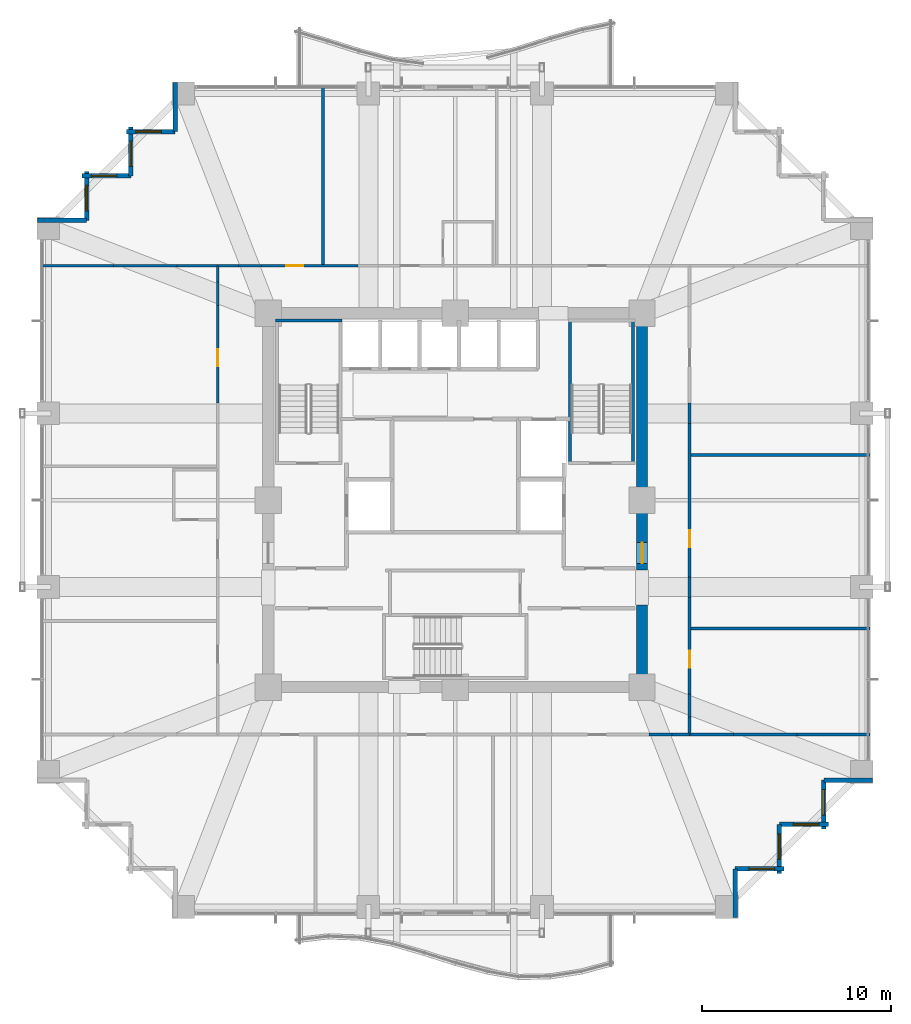
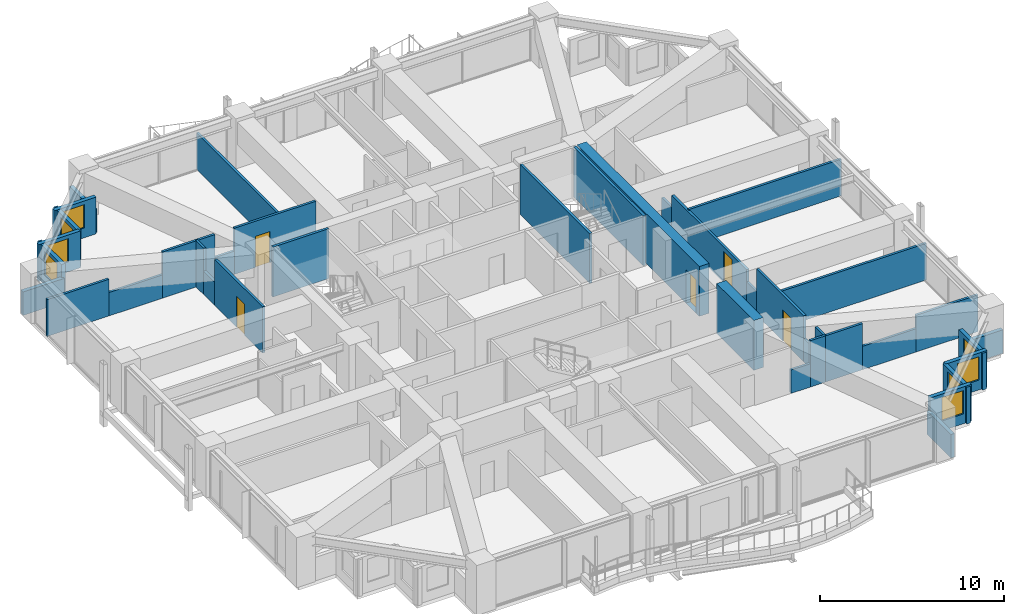
# One storey, part 33 of 37: 40 walls, 8 windows, 5 doors, 13 openings.
"""IFC4 building model written with IfcOpenShell, lengths in metres."""

from ifc_helpers import new_model, si_unit, direction, frame, frame_2d, origin, place, context, subcontext, project, spatial, rectangle, extrude, material, layer, layer_set, type_object, element, fill, save


model = new_model("IFC4")

# Units and contexts
model_context = context("Model", 3, precision=1e-05, world=origin(), true_north=direction((0.0, 1.0)))
body_context = subcontext(model_context, "Body", "Model", "MODEL_VIEW")
ifc_project = project(units=[si_unit("LENGTHUNIT", "METRE"), si_unit("AREAUNIT", "SQUARE_METRE"), si_unit("VOLUMEUNIT", "CUBIC_METRE"), si_unit("PLANEANGLEUNIT", "RADIAN"), si_unit("MASSUNIT", "GRAM", prefix="KILO")], contexts=[model_context])

# Site, building, storey
site_placement = place(None, origin())
site = spatial("IfcSite", under=ifc_project, at=site_placement, CompositionType="ELEMENT")
building_placement = place(site_placement, origin())
building = spatial("IfcBuilding", under=site, at=building_placement, Name="Kolvaren Belvedere", CompositionType="ELEMENT")
storey_placement = place(building_placement, frame((0.0, 0.0, 43.60009765625)))
storey = spatial("IfcBuildingStorey", under=building, at=storey_placement, Name="L12", CompositionType="ELEMENT", Elevation=43.60009765625)

# Wall
ifc_material_1 = material(Name="Concrete C60/75", Category="concrete")
ifc_layer_1 = layer(ifc_material_1, 0.60009765625)
ifc_layer_set_1 = layer_set([ifc_layer_1], Name="Concrete C60/75")
wall_type_1 = type_object("IfcWallType", Name="CW-CORE-600", PredefinedType="SHEAR", material=ifc_layer_set_1)
wall_1_placement = place(storey_placement, frame((9.89990234375, -9.60009765625, 0.0), z_axis=(0.0, 0.0, 1.0), x_axis=(0.0, 1.0, 0.0)))
element("IfcWall", 1, at=wall_1_placement, inside=storey, type_object=wall_type_1, Name="L12 East Core Shear Wall 1", PredefinedType="SHEAR", context=body_context, shape_type="SweptSolid", body=[
    extrude(rectangle(XDim=4.050048828125, YDim=0.60009765625, at=frame_2d((2.02490234375, 0.0))), origin(), (0.0, 0.0, 1.0), 3.2998046875),
])

# Wall, opening, door
wall_2_placement = place(storey_placement, frame((9.89990234375, -3.699951171875, 0.0), z_axis=(0.0, 0.0, 1.0), x_axis=(0.0, 1.0, 0.0)))
wall_2 = element("IfcWall", 2, at=wall_2_placement, inside=storey, type_object=wall_type_1, Name="L12 East Core Shear Wall 2", PredefinedType="SHEAR", context=body_context, shape_type="SweptSolid", body=[
    extrude(rectangle(XDim=13.300048828125, YDim=0.60009765625, at=frame_2d((6.64990234375, 0.0))), origin(), (0.0, 0.0, 1.0), 3.2998046875),
])
opening_1_placement = place(wall_2_placement, frame((0.35009765625, 0.0, 0.0)))
opening_1 = element("IfcOpeningElement", 3, at=opening_1_placement, cuts=wall_2, Name="Opening D-FD90", PredefinedType="OPENING", context=body_context, shape_type="SweptSolid", body=[
    extrude(rectangle(XDim=1.10009765625, YDim=2.199951171875, at=frame_2d((0.550048828125, 1.10009765625))), frame((0.0, 0.31005859375, 0.0), z_axis=(0.0, -1.0, 0.0), x_axis=(1.0, 0.0, 0.0)), (0.0, 0.0, 1.0), 0.6201171875),
])
ifc_material_2 = material(Name="Painted hollow stainless steel", Category="steel")
door_type_1 = type_object("IfcDoorType", Name="DR-FD90-1100", OperationType="NOTDEFINED", PredefinedType="DOOR", material=ifc_material_2)
door_1_placement = place(opening_1_placement, origin())
door_1 = element("IfcDoor", 4, at=door_1_placement, inside=storey, type_object=door_type_1, Name="L12 East Firefighting Lobby Fire Door", OperationType="SINGLE_SWING_RIGHT", OverallHeight=2.199951171875, OverallWidth=1.10009765625, PredefinedType="DOOR", context=body_context, shape_type="SweptSolid", body=[
    extrude(rectangle(XDim=1.10009765625, YDim=2.199951171875, at=frame_2d((0.550048828125, 1.10009765625))), frame((0.0, 0.02490234375, 0.0), z_axis=(0.0, -1.0, 0.0), x_axis=(1.0, 0.0, 0.0)), (0.0, 0.0, 1.0), 0.050048828125),
])
fill(opening_1, door_1)

# Walls
ifc_material_3 = material(Name="Concrete C50/60", Category="concrete")
ifc_layer_2 = layer(ifc_material_3, 0.159912109375)
ifc_layer_set_2 = layer_set([ifc_layer_2], Name="Concrete C50/60")
wall_type_2 = type_object("IfcWallType", Name="CW-STAIR-160", PredefinedType="SHEAR", material=ifc_layer_set_2)
wall_3_placement = place(storey_placement, frame((-9.52001953125, 9.530029296875, 0.0), z_axis=(0.0, 0.0, 1.0), x_axis=(1.0, 0.0, 0.0)))
element("IfcWall", 5, at=wall_3_placement, inside=storey, type_object=wall_type_2, Name="L12 Stair ST-1 North Shear Wall", PredefinedType="SHEAR", context=body_context, shape_type="SweptSolid", body=[
    extrude(rectangle(XDim=3.52001953125, YDim=0.159912109375, at=frame_2d((1.760009765625, 0.0))), origin(), (0.0, 0.0, 1.0), 3.2998046875),
])
for number, where, z_axis, x_axis, name in (
    (6, (6.080078125, 1.969970703125, 0.0), (0.0, 0.0, 1.0), (0.0, 1.0, 0.0), "L12 Stair ST-2 West Shear Wall"),
    (7, (9.429931640625, 1.969970703125, 0.0), (0.0, 0.0, 1.0), (0.0, 1.0, 0.0), "L12 Stair ST-2 East Shear Wall"),
):
    element("IfcWall", number, at=place(storey_placement, frame(where, z_axis=z_axis, x_axis=x_axis)), inside=storey, type_object=wall_type_2, Name=name, PredefinedType="SHEAR", context=body_context, shape_type="SweptSolid", body=[
        extrude(rectangle(XDim=7.56005859375, YDim=0.159912109375, at=frame_2d((3.780029296875, 0.0))), origin(), (0.0, 0.0, 1.0), 3.2998046875),
    ])
ifc_material_4 = material(Name="Gypsum fire-rated partition assembly", Category="gypsum")
ifc_layer_3 = layer(ifc_material_4, 0.14990234375)
ifc_layer_set_3 = layer_set([ifc_layer_3], Name="Gypsum fire-rated partition assembly")
wall_type_3 = type_object("IfcWallType", Name="WL-CORR-150", PredefinedType="PARTITIONING", material=ifc_layer_set_3)
wall_4_placement = place(storey_placement, frame((10.260986328125, -12.419921875, 0.0), z_axis=(0.0, 0.0, 1.0), x_axis=(1.0, 0.0, 0.0)))
element("IfcWall", 8, at=wall_4_placement, inside=storey, type_object=wall_type_3, Name="L12 South Corridor Wall", PredefinedType="PARTITIONING", context=body_context, shape_type="SweptSolid", body=[
    extrude(rectangle(XDim=1.224853515625, YDim=0.14990234375, at=frame_2d((0.6123046875, 0.0))), origin(), (0.0, 0.0, 1.0), 1.544921875),
])
wall_5_placement = place(storey_placement, frame((11.48583984375, -12.419921875, 0.0), z_axis=(0.0, 0.0, 1.0), x_axis=(1.0, 0.0, 0.0)))
element("IfcWall", 9, at=wall_5_placement, inside=storey, type_object=wall_type_3, Name="L12 South Corridor Wall", PredefinedType="PARTITIONING", context=body_context, shape_type="SweptSolid", body=[
    extrude(rectangle(XDim=0.93408203125, YDim=0.14990234375, at=frame_2d((0.467041015625, 0.0))), origin(), (0.0, 0.0, 1.0), 3.059814453125),
])
wall_6_placement = place(storey_placement, frame((-12.580078125, 12.419921875, 0.0), z_axis=(0.0, 0.0, 1.0), x_axis=(1.0, 0.0, 0.0)))
element("IfcWall", 10, at=wall_6_placement, inside=storey, type_object=wall_type_3, Name="L12 North Corridor Wall", PredefinedType="PARTITIONING", context=body_context, shape_type="SweptSolid", body=[
    extrude(rectangle(XDim=1.09423828125, YDim=0.14990234375, at=frame_2d((0.547119140625, 0.0))), origin(), (0.0, 0.0, 1.0), 3.059814453125),
])
wall_7_placement = place(storey_placement, frame((-11.48583984375, 12.419921875, 0.0), z_axis=(0.0, 0.0, 1.0), x_axis=(1.0, 0.0, 0.0)))
element("IfcWall", 11, at=wall_7_placement, inside=storey, type_object=wall_type_3, Name="L12 North Corridor Wall", PredefinedType="PARTITIONING", context=body_context, shape_type="SweptSolid", body=[
    extrude(rectangle(XDim=1.224853515625, YDim=0.14990234375, at=frame_2d((0.6123046875, 0.0))), origin(), (0.0, 0.0, 1.0), 1.544921875),
])

# Wall, opening, door
wall_8_placement = place(storey_placement, frame((-10.260986328125, 12.419921875, 0.0), z_axis=(0.0, 0.0, 1.0), x_axis=(1.0, 0.0, 0.0)))
wall_8 = element("IfcWall", 12, at=wall_8_placement, inside=storey, type_object=wall_type_3, Name="L12 North Corridor Wall", PredefinedType="PARTITIONING", context=body_context, shape_type="SweptSolid", body=[
    extrude(rectangle(XDim=5.118896484375, YDim=0.14990234375, at=frame_2d((2.5595703125, 0.0))), origin(), (0.0, 0.0, 1.0), 3.059814453125),
])
opening_2_placement = place(wall_8_placement, frame((1.3203125, 0.0, 0.0)))
opening_2 = element("IfcOpeningElement", 13, at=opening_2_placement, cuts=wall_8, Name="Opening D-INT90", PredefinedType="OPENING", context=body_context, shape_type="SweptSolid", body=[
    extrude(rectangle(XDim=0.89990234375, YDim=2.06005859375, at=frame_2d((0.449951171875, 1.030029296875))), frame((0.0, 0.0849609375, 0.0), z_axis=(0.0, -1.0, 0.0), x_axis=(1.0, 0.0, 0.0)), (0.0, 0.0, 1.0), 0.169921875),
])
ifc_material_5 = material(Name="Stained Pacific white oak", Category="timber")
door_type_2 = type_object("IfcDoorType", Name="DR-INT-900", OperationType="NOTDEFINED", PredefinedType="DOOR", material=ifc_material_5)
door_2_placement = place(opening_2_placement, origin())
door_2 = element("IfcDoor", 14, at=door_2_placement, inside=storey, type_object=door_type_2, Name="L12 Lounge 1210 Door", OperationType="SINGLE_SWING_RIGHT", OverallHeight=2.06005859375, OverallWidth=0.89990234375, PredefinedType="DOOR", context=body_context, shape_type="SweptSolid", body=[
    extrude(rectangle(XDim=0.89990234375, YDim=2.06005859375, at=frame_2d((0.449951171875, 1.030029296875))), frame((0.0, 0.02490234375, 0.0), z_axis=(0.0, -1.0, 0.0), x_axis=(1.0, 0.0, 0.0)), (0.0, 0.0, 1.0), 0.050048828125),
])
fill(opening_2, door_2)

wall_9_placement = place(storey_placement, frame((-12.580078125, 5.14208984375, 0.0), z_axis=(0.0, 0.0, 1.0), x_axis=(0.0, 1.0, 0.0)))
wall_9 = element("IfcWall", 15, at=wall_9_placement, inside=storey, type_object=wall_type_3, Name="L12 West Corridor Wall", PredefinedType="PARTITIONING", context=body_context, shape_type="SweptSolid", body=[
    extrude(rectangle(XDim=5.1806640625, YDim=0.14990234375, at=frame_2d((2.59033203125, 0.0))), origin(), (0.0, 0.0, 1.0), 3.059814453125),
])
opening_3_placement = place(wall_9_placement, frame((1.943115234375, 0.0, 0.0)))
opening_3 = element("IfcOpeningElement", 16, at=opening_3_placement, cuts=wall_9, Name="Opening D-INT90", PredefinedType="OPENING", context=body_context, shape_type="SweptSolid", body=[
    extrude(rectangle(XDim=0.89990234375, YDim=2.06005859375, at=frame_2d((0.449951171875, 1.030029296875))), frame((0.0, 0.0849609375, 0.0), z_axis=(0.0, -1.0, 0.0), x_axis=(1.0, 0.0, 0.0)), (0.0, 0.0, 1.0), 0.169921875),
])
door_3_placement = place(opening_3_placement, origin())
door_3 = element("IfcDoor", 17, at=door_3_placement, inside=storey, type_object=door_type_2, Name="L12 Lounge 1209 Door", OperationType="SINGLE_SWING_LEFT", OverallHeight=2.06005859375, OverallWidth=0.89990234375, PredefinedType="DOOR", context=body_context, shape_type="SweptSolid", body=[
    extrude(rectangle(XDim=0.89990234375, YDim=2.06005859375, at=frame_2d((0.449951171875, 1.030029296875))), frame((0.0, 0.02490234375, 0.0), z_axis=(0.0, -1.0, 0.0), x_axis=(1.0, 0.0, 0.0)), (0.0, 0.0, 1.0), 0.050048828125),
])
fill(opening_3, door_3)

# Walls
wall_10_placement = place(storey_placement, frame((-12.580078125, 10.32275390625, 0.0), z_axis=(0.0, 0.0, 1.0), x_axis=(0.0, 1.0, 0.0)))
element("IfcWall", 18, at=wall_10_placement, inside=storey, type_object=wall_type_3, Name="L12 West Corridor Wall", PredefinedType="PARTITIONING", context=body_context, shape_type="SweptSolid", body=[
    extrude(rectangle(XDim=1.224853515625, YDim=0.14990234375, at=frame_2d((0.6123046875, 0.0))), origin(), (0.0, 0.0, 1.0), 1.544921875),
])
wall_11_placement = place(storey_placement, frame((-12.580078125, 11.547607421875, 0.0), z_axis=(0.0, 0.0, 1.0), x_axis=(0.0, 1.0, 0.0)))
element("IfcWall", 19, at=wall_11_placement, inside=storey, type_object=wall_type_3, Name="L12 West Corridor Wall", PredefinedType="PARTITIONING", context=body_context, shape_type="SweptSolid", body=[
    extrude(rectangle(XDim=0.872314453125, YDim=0.14990234375, at=frame_2d((0.43603515625, 0.0))), origin(), (0.0, 0.0, 1.0), 3.059814453125),
])
wall_12_placement = place(storey_placement, frame((12.419921875, -12.419921875, 0.0), z_axis=(0.0, 0.0, 1.0), x_axis=(0.0, 1.0, 0.0)))
element("IfcWall", 20, at=wall_12_placement, inside=storey, type_object=wall_type_3, Name="L12 East Corridor Wall", PredefinedType="PARTITIONING", context=body_context, shape_type="SweptSolid", body=[
    extrude(rectangle(XDim=0.93408203125, YDim=0.14990234375, at=frame_2d((0.467041015625, 0.0))), origin(), (0.0, 0.0, 1.0), 3.059814453125),
])
wall_13_placement = place(storey_placement, frame((12.419921875, -11.48583984375, 0.0), z_axis=(0.0, 0.0, 1.0), x_axis=(0.0, 1.0, 0.0)))
element("IfcWall", 21, at=wall_13_placement, inside=storey, type_object=wall_type_3, Name="L12 East Corridor Wall", PredefinedType="PARTITIONING", context=body_context, shape_type="SweptSolid", body=[
    extrude(rectangle(XDim=1.224853515625, YDim=0.14990234375, at=frame_2d((0.6123046875, 0.0))), origin(), (0.0, 0.0, 1.0), 1.544921875),
])

# Wall, opening, door
wall_14_placement = place(storey_placement, frame((12.419921875, -10.260986328125, 0.0), z_axis=(0.0, 0.0, 1.0), x_axis=(0.0, 1.0, 0.0)))
wall_14 = element("IfcWall", 22, at=wall_14_placement, inside=storey, type_object=wall_type_3, Name="L12 East Corridor Wall", PredefinedType="PARTITIONING", context=body_context, shape_type="SweptSolid", body=[
    extrude(rectangle(XDim=5.118896484375, YDim=0.14990234375, at=frame_2d((2.5595703125, 0.0))), origin(), (0.0, 0.0, 1.0), 3.059814453125),
])
opening_4_placement = place(wall_14_placement, frame((1.3828125, 0.0, 0.0)))
opening_4 = element("IfcOpeningElement", 23, at=opening_4_placement, cuts=wall_14, Name="Opening D-INT90", PredefinedType="OPENING", context=body_context, shape_type="SweptSolid", body=[
    extrude(rectangle(XDim=0.89990234375, YDim=2.06005859375, at=frame_2d((0.449951171875, 1.030029296875))), frame((0.0, 0.0849609375, 0.0), z_axis=(0.0, -1.0, 0.0), x_axis=(1.0, 0.0, 0.0)), (0.0, 0.0, 1.0), 0.169921875),
])
door_4_placement = place(opening_4_placement, origin())
door_4 = element("IfcDoor", 24, at=door_4_placement, inside=storey, type_object=door_type_2, Name="L12 Wellness Yoga & Reading Gym 1204 Door", OperationType="SINGLE_SWING_LEFT", OverallHeight=2.06005859375, OverallWidth=0.89990234375, PredefinedType="DOOR", context=body_context, shape_type="SweptSolid", body=[
    extrude(rectangle(XDim=0.89990234375, YDim=2.06005859375, at=frame_2d((0.449951171875, 1.030029296875))), frame((0.0, 0.02490234375, 0.0), z_axis=(0.0, -1.0, 0.0), x_axis=(1.0, 0.0, 0.0)), (0.0, 0.0, 1.0), 0.050048828125),
])
fill(opening_4, door_4)

# Wall
wall_15_placement = place(storey_placement, frame((12.419921875, -5.14208984375, 0.0), z_axis=(0.0, 0.0, 1.0), x_axis=(0.0, 1.0, 0.0)))
element("IfcWall", 25, at=wall_15_placement, inside=storey, type_object=wall_type_3, Name="L12 East Corridor Wall", PredefinedType="PARTITIONING", context=body_context, shape_type="SweptSolid", body=[
    extrude(rectangle(XDim=1.083984375, YDim=0.14990234375, at=frame_2d((0.5419921875, 0.0))), origin(), (0.0, 0.0, 1.0), 1.544921875),
])

# Wall, opening, door
wall_16_placement = place(storey_placement, frame((12.419921875, -4.05810546875, 0.0), z_axis=(0.0, 0.0, 1.0), x_axis=(0.0, 1.0, 0.0)))
wall_16 = element("IfcWall", 26, at=wall_16_placement, inside=storey, type_object=wall_type_3, Name="L12 East Corridor Wall", PredefinedType="PARTITIONING", context=body_context, shape_type="SweptSolid", body=[
    extrude(rectangle(XDim=8.1162109375, YDim=0.14990234375, at=frame_2d((4.05810546875, 0.0))), origin(), (0.0, 0.0, 1.0), 2.348876953125),
])
opening_5_placement = place(wall_16_placement, frame((1.577880859375, 0.0, 0.0)))
opening_5 = element("IfcOpeningElement", 27, at=opening_5_placement, cuts=wall_16, Name="Opening D-INT90", PredefinedType="OPENING", context=body_context, shape_type="SweptSolid", body=[
    extrude(rectangle(XDim=0.89990234375, YDim=2.06005859375, at=frame_2d((0.449951171875, 1.030029296875))), frame((0.0, 0.0849609375, 0.0), z_axis=(0.0, -1.0, 0.0), x_axis=(1.0, 0.0, 0.0)), (0.0, 0.0, 1.0), 0.169921875),
])
door_5_placement = place(opening_5_placement, origin())
door_5 = element("IfcDoor", 28, at=door_5_placement, inside=storey, type_object=door_type_2, Name="L12 Private Hospitality Meeting Room 1205 Door", OperationType="SINGLE_SWING_RIGHT", OverallHeight=2.06005859375, OverallWidth=0.89990234375, PredefinedType="DOOR", context=body_context, shape_type="SweptSolid", body=[
    extrude(rectangle(XDim=0.89990234375, YDim=2.06005859375, at=frame_2d((0.449951171875, 1.030029296875))), frame((0.0, 0.02490234375, 0.0), z_axis=(0.0, -1.0, 0.0), x_axis=(1.0, 0.0, 0.0)), (0.0, 0.0, 1.0), 0.050048828125),
])
fill(opening_5, door_5)

# Walls
wall_17_placement = place(storey_placement, frame((12.419921875, 4.05810546875, 0.0), z_axis=(0.0, 0.0, 1.0), x_axis=(0.0, 1.0, 0.0)))
element("IfcWall", 29, at=wall_17_placement, inside=storey, type_object=wall_type_3, Name="L12 East Corridor Wall", PredefinedType="PARTITIONING", context=body_context, shape_type="SweptSolid", body=[
    extrude(rectangle(XDim=1.083984375, YDim=0.14990234375, at=frame_2d((0.5419921875, 0.0))), origin(), (0.0, 0.0, 1.0), 1.544921875),
])
ifc_material_6 = material(Name="Insulated pale-metal facade wall assembly", Category="aluminium")
ifc_layer_4 = layer(ifc_material_6, 0.239990234375)
ifc_layer_set_4 = layer_set([ifc_layer_4], Name="Insulated pale-metal facade wall assembly")
wall_type_4 = type_object("IfcWallType", Name="WL-EXT-240", PredefinedType="STANDARD", material=ifc_layer_set_4)
wall_18_placement = place(storey_placement, frame((14.830078125, -19.530029296875, 0.0), z_axis=(0.0, 0.0, 1.0), x_axis=(0.0, -1.0, 0.0)))
element("IfcWall", 30, at=wall_18_placement, inside=storey, type_object=wall_type_4, Name="L12 Serrated Corner Facade Wall 2", PredefinedType="STANDARD", context=body_context, shape_type="SweptSolid", body=[
    extrude(rectangle(XDim=2.590087890625, YDim=0.239990234375, at=frame_2d((1.294921875, 0.0))), origin(), (0.0, 0.0, 1.0), 1.554931640625),
])

# Wall, opening, window
wall_19_placement = place(storey_placement, frame((17.419921875, -19.530029296875, 0.0), z_axis=(0.0, 0.0, 1.0), x_axis=(-1.0, 0.0, 0.0)))
wall_19 = element("IfcWall", 31, at=wall_19_placement, inside=storey, type_object=wall_type_4, Name="L12 Serrated Corner Facade Wall 3", PredefinedType="STANDARD", context=body_context, shape_type="SweptSolid", body=[
    extrude(rectangle(XDim=2.58984375, YDim=0.239990234375, at=frame_2d((1.294921875, 0.0))), origin(), (0.0, 0.0, 1.0), 2.43896484375),
])
opening_6_placement = place(wall_19_placement, frame((0.5, 0.0, 0.64990234375)))
opening_6 = element("IfcOpeningElement", 32, at=opening_6_placement, cuts=wall_19, Name="Opening W-1350", PredefinedType="OPENING", context=body_context, shape_type="SweptSolid", body=[
    extrude(rectangle(XDim=1.35009765625, YDim=1.550048828125, at=frame_2d((0.675048828125, 0.77490234375))), frame((0.0, 0.1298828125, 0.0), z_axis=(0.0, -1.0, 0.0), x_axis=(1.0, 0.0, 0.0)), (0.0, 0.0, 1.0), 0.260009765625),
])
ifc_material_7 = material(Name="Low-iron triple insulated glass", Category="glass")
window_type = type_object("IfcWindowType", Name="WN-CORN-1350", PartitioningType="SINGLE_PANEL", PredefinedType="WINDOW", material=ifc_material_7)
window_1_placement = place(opening_6_placement, origin())
window_1 = element("IfcWindow", 33, at=window_1_placement, inside=storey, type_object=window_type, Name="L12 Serrated Corner Vision Window 3", OverallHeight=1.550048828125, OverallWidth=1.35009765625, PartitioningType="SINGLE_PANEL", PredefinedType="WINDOW", context=body_context, shape_type="SweptSolid", body=[
    extrude(rectangle(XDim=1.35009765625, YDim=1.550048828125, at=frame_2d((0.675048828125, 0.77490234375))), frame((0.0, 0.030029296875, 0.0), z_axis=(0.0, -1.0, 0.0), x_axis=(1.0, 0.0, 0.0)), (0.0, 0.0, 1.0), 0.06005859375),
])
fill(opening_6, window_1)

wall_20_placement = place(storey_placement, frame((17.179931640625, -17.179931640625, 0.0), z_axis=(0.0, 0.0, 1.0), x_axis=(0.0, -1.0, 0.0)))
wall_20 = element("IfcWall", 34, at=wall_20_placement, inside=storey, type_object=wall_type_4, Name="L12 Serrated Corner Facade Wall 4", PredefinedType="STANDARD", context=body_context, shape_type="SweptSolid", body=[
    extrude(rectangle(XDim=2.590087890625, YDim=0.239990234375, at=frame_2d((1.294921875, 0.0))), origin(), (0.0, 0.0, 1.0), 2.43896484375),
])
opening_7_placement = place(wall_20_placement, frame((0.5, 0.0, 0.64990234375)))
opening_7 = element("IfcOpeningElement", 35, at=opening_7_placement, cuts=wall_20, Name="Opening W-1350", PredefinedType="OPENING", context=body_context, shape_type="SweptSolid", body=[
    extrude(rectangle(XDim=1.35009765625, YDim=1.550048828125, at=frame_2d((0.675048828125, 0.77490234375))), frame((0.0, 0.1298828125, 0.0), z_axis=(0.0, -1.0, 0.0), x_axis=(1.0, 0.0, 0.0)), (0.0, 0.0, 1.0), 0.260009765625),
])
window_2_placement = place(opening_7_placement, origin())
window_2 = element("IfcWindow", 36, at=window_2_placement, inside=storey, type_object=window_type, Name="L12 Serrated Corner Vision Window 4", OverallHeight=1.550048828125, OverallWidth=1.35009765625, PartitioningType="SINGLE_PANEL", PredefinedType="WINDOW", context=body_context, shape_type="SweptSolid", body=[
    extrude(rectangle(XDim=1.35009765625, YDim=1.550048828125, at=frame_2d((0.675048828125, 0.77490234375))), frame((0.0, 0.030029296875, 0.0), z_axis=(0.0, -1.0, 0.0), x_axis=(1.0, 0.0, 0.0)), (0.0, 0.0, 1.0), 0.06005859375),
])
fill(opening_7, window_2)

wall_21_placement = place(storey_placement, frame((19.77001953125, -17.179931640625, 0.0), z_axis=(0.0, 0.0, 1.0), x_axis=(-1.0, 0.0, 0.0)))
wall_21 = element("IfcWall", 37, at=wall_21_placement, inside=storey, type_object=wall_type_4, Name="L12 Serrated Corner Facade Wall 5", PredefinedType="STANDARD", context=body_context, shape_type="SweptSolid", body=[
    extrude(rectangle(XDim=2.590087890625, YDim=0.239990234375, at=frame_2d((1.294921875, 0.0))), origin(), (0.0, 0.0, 1.0), 2.43896484375),
])
opening_8_placement = place(wall_21_placement, frame((0.5, 0.0, 0.64990234375)))
opening_8 = element("IfcOpeningElement", 38, at=opening_8_placement, cuts=wall_21, Name="Opening W-1350", PredefinedType="OPENING", context=body_context, shape_type="SweptSolid", body=[
    extrude(rectangle(XDim=1.35009765625, YDim=1.550048828125, at=frame_2d((0.675048828125, 0.77490234375))), frame((0.0, 0.1298828125, 0.0), z_axis=(0.0, -1.0, 0.0), x_axis=(1.0, 0.0, 0.0)), (0.0, 0.0, 1.0), 0.260009765625),
])
window_3_placement = place(opening_8_placement, origin())
window_3 = element("IfcWindow", 39, at=window_3_placement, inside=storey, type_object=window_type, Name="L12 Serrated Corner Vision Window 5", OverallHeight=1.550048828125, OverallWidth=1.35009765625, PartitioningType="SINGLE_PANEL", PredefinedType="WINDOW", context=body_context, shape_type="SweptSolid", body=[
    extrude(rectangle(XDim=1.35009765625, YDim=1.550048828125, at=frame_2d((0.675048828125, 0.77490234375))), frame((0.0, 0.030029296875, 0.0), z_axis=(0.0, -1.0, 0.0), x_axis=(1.0, 0.0, 0.0)), (0.0, 0.0, 1.0), 0.06005859375),
])
fill(opening_8, window_3)

wall_22_placement = place(storey_placement, frame((19.530029296875, -14.830078125, 0.0), z_axis=(0.0, 0.0, 1.0), x_axis=(0.0, -1.0, 0.0)))
wall_22 = element("IfcWall", 40, at=wall_22_placement, inside=storey, type_object=wall_type_4, Name="L12 Serrated Corner Facade Wall 6", PredefinedType="STANDARD", context=body_context, shape_type="SweptSolid", body=[
    extrude(rectangle(XDim=2.58984375, YDim=0.239990234375, at=frame_2d((1.294921875, 0.0))), origin(), (0.0, 0.0, 1.0), 2.43896484375),
])
opening_9_placement = place(wall_22_placement, frame((0.5, 0.0, 0.64990234375)))
opening_9 = element("IfcOpeningElement", 41, at=opening_9_placement, cuts=wall_22, Name="Opening W-1350", PredefinedType="OPENING", context=body_context, shape_type="SweptSolid", body=[
    extrude(rectangle(XDim=1.35009765625, YDim=1.550048828125, at=frame_2d((0.675048828125, 0.77490234375))), frame((0.0, 0.1298828125, 0.0), z_axis=(0.0, -1.0, 0.0), x_axis=(1.0, 0.0, 0.0)), (0.0, 0.0, 1.0), 0.260009765625),
])
window_4_placement = place(opening_9_placement, origin())
window_4 = element("IfcWindow", 42, at=window_4_placement, inside=storey, type_object=window_type, Name="L12 Serrated Corner Vision Window 6", OverallHeight=1.550048828125, OverallWidth=1.35009765625, PartitioningType="SINGLE_PANEL", PredefinedType="WINDOW", context=body_context, shape_type="SweptSolid", body=[
    extrude(rectangle(XDim=1.35009765625, YDim=1.550048828125, at=frame_2d((0.675048828125, 0.77490234375))), frame((0.0, 0.030029296875, 0.0), z_axis=(0.0, -1.0, 0.0), x_axis=(1.0, 0.0, 0.0)), (0.0, 0.0, 1.0), 0.06005859375),
])
fill(opening_9, window_4)

# Walls
for number, where, z_axis, x_axis, name in (
    (43, (22.1201171875, -14.830078125, 0.0), (0.0, 0.0, 1.0), (-1.0, 0.0, 0.0), "L12 Serrated Corner Facade Wall 7"),
    (44, (-14.830078125, 19.530029296875, 0.0), (0.0, 0.0, 1.0), (0.0, 1.0, 0.0), "L12 Serrated Corner Facade Wall 16"),
):
    element("IfcWall", number, at=place(storey_placement, frame(where, z_axis=z_axis, x_axis=x_axis)), inside=storey, type_object=wall_type_4, Name=name, PredefinedType="STANDARD", context=body_context, shape_type="SweptSolid", body=[
        extrude(rectangle(XDim=2.590087890625, YDim=0.239990234375, at=frame_2d((1.294921875, 0.0))), origin(), (0.0, 0.0, 1.0), 1.554931640625),
    ])

# Wall, opening, window
wall_23_placement = place(storey_placement, frame((-17.419921875, 19.530029296875, 0.0), z_axis=(0.0, 0.0, 1.0), x_axis=(1.0, 0.0, 0.0)))
wall_23 = element("IfcWall", 45, at=wall_23_placement, inside=storey, type_object=wall_type_4, Name="L12 Serrated Corner Facade Wall 17", PredefinedType="STANDARD", context=body_context, shape_type="SweptSolid", body=[
    extrude(rectangle(XDim=2.58984375, YDim=0.239990234375, at=frame_2d((1.294921875, 0.0))), origin(), (0.0, 0.0, 1.0), 2.43896484375),
])
opening_10_placement = place(wall_23_placement, frame((0.5, 0.0, 0.64990234375)))
opening_10 = element("IfcOpeningElement", 46, at=opening_10_placement, cuts=wall_23, Name="Opening W-1350", PredefinedType="OPENING", context=body_context, shape_type="SweptSolid", body=[
    extrude(rectangle(XDim=1.35009765625, YDim=1.550048828125, at=frame_2d((0.675048828125, 0.77490234375))), frame((0.0, 0.1298828125, 0.0), z_axis=(0.0, -1.0, 0.0), x_axis=(1.0, 0.0, 0.0)), (0.0, 0.0, 1.0), 0.260009765625),
])
window_5_placement = place(opening_10_placement, origin())
window_5 = element("IfcWindow", 47, at=window_5_placement, inside=storey, type_object=window_type, Name="L12 Serrated Corner Vision Window 17", OverallHeight=1.550048828125, OverallWidth=1.35009765625, PartitioningType="SINGLE_PANEL", PredefinedType="WINDOW", context=body_context, shape_type="SweptSolid", body=[
    extrude(rectangle(XDim=1.35009765625, YDim=1.550048828125, at=frame_2d((0.675048828125, 0.77490234375))), frame((0.0, 0.030029296875, 0.0), z_axis=(0.0, -1.0, 0.0), x_axis=(1.0, 0.0, 0.0)), (0.0, 0.0, 1.0), 0.06005859375),
])
fill(opening_10, window_5)

wall_24_placement = place(storey_placement, frame((-17.179931640625, 17.179931640625, 0.0), z_axis=(0.0, 0.0, 1.0), x_axis=(0.0, 1.0, 0.0)))
wall_24 = element("IfcWall", 48, at=wall_24_placement, inside=storey, type_object=wall_type_4, Name="L12 Serrated Corner Facade Wall 18", PredefinedType="STANDARD", context=body_context, shape_type="SweptSolid", body=[
    extrude(rectangle(XDim=2.590087890625, YDim=0.239990234375, at=frame_2d((1.294921875, 0.0))), origin(), (0.0, 0.0, 1.0), 2.43896484375),
])
opening_11_placement = place(wall_24_placement, frame((0.5, 0.0, 0.64990234375)))
opening_11 = element("IfcOpeningElement", 49, at=opening_11_placement, cuts=wall_24, Name="Opening W-1350", PredefinedType="OPENING", context=body_context, shape_type="SweptSolid", body=[
    extrude(rectangle(XDim=1.35009765625, YDim=1.550048828125, at=frame_2d((0.675048828125, 0.77490234375))), frame((0.0, 0.1298828125, 0.0), z_axis=(0.0, -1.0, 0.0), x_axis=(1.0, 0.0, 0.0)), (0.0, 0.0, 1.0), 0.260009765625),
])
window_6_placement = place(opening_11_placement, origin())
window_6 = element("IfcWindow", 50, at=window_6_placement, inside=storey, type_object=window_type, Name="L12 Serrated Corner Vision Window 18", OverallHeight=1.550048828125, OverallWidth=1.35009765625, PartitioningType="SINGLE_PANEL", PredefinedType="WINDOW", context=body_context, shape_type="SweptSolid", body=[
    extrude(rectangle(XDim=1.35009765625, YDim=1.550048828125, at=frame_2d((0.675048828125, 0.77490234375))), frame((0.0, 0.030029296875, 0.0), z_axis=(0.0, -1.0, 0.0), x_axis=(1.0, 0.0, 0.0)), (0.0, 0.0, 1.0), 0.06005859375),
])
fill(opening_11, window_6)

wall_25_placement = place(storey_placement, frame((-19.77001953125, 17.179931640625, 0.0), z_axis=(0.0, 0.0, 1.0), x_axis=(1.0, 0.0, 0.0)))
wall_25 = element("IfcWall", 51, at=wall_25_placement, inside=storey, type_object=wall_type_4, Name="L12 Serrated Corner Facade Wall 19", PredefinedType="STANDARD", context=body_context, shape_type="SweptSolid", body=[
    extrude(rectangle(XDim=2.590087890625, YDim=0.239990234375, at=frame_2d((1.294921875, 0.0))), origin(), (0.0, 0.0, 1.0), 2.43896484375),
])
opening_12_placement = place(wall_25_placement, frame((0.5, 0.0, 0.64990234375)))
opening_12 = element("IfcOpeningElement", 52, at=opening_12_placement, cuts=wall_25, Name="Opening W-1350", PredefinedType="OPENING", context=body_context, shape_type="SweptSolid", body=[
    extrude(rectangle(XDim=1.35009765625, YDim=1.550048828125, at=frame_2d((0.675048828125, 0.77490234375))), frame((0.0, 0.1298828125, 0.0), z_axis=(0.0, -1.0, 0.0), x_axis=(1.0, 0.0, 0.0)), (0.0, 0.0, 1.0), 0.260009765625),
])
window_7_placement = place(opening_12_placement, origin())
window_7 = element("IfcWindow", 53, at=window_7_placement, inside=storey, type_object=window_type, Name="L12 Serrated Corner Vision Window 19", OverallHeight=1.550048828125, OverallWidth=1.35009765625, PartitioningType="SINGLE_PANEL", PredefinedType="WINDOW", context=body_context, shape_type="SweptSolid", body=[
    extrude(rectangle(XDim=1.35009765625, YDim=1.550048828125, at=frame_2d((0.675048828125, 0.77490234375))), frame((0.0, 0.030029296875, 0.0), z_axis=(0.0, -1.0, 0.0), x_axis=(1.0, 0.0, 0.0)), (0.0, 0.0, 1.0), 0.06005859375),
])
fill(opening_12, window_7)

wall_26_placement = place(storey_placement, frame((-19.530029296875, 14.830078125, 0.0), z_axis=(0.0, 0.0, 1.0), x_axis=(0.0, 1.0, 0.0)))
wall_26 = element("IfcWall", 54, at=wall_26_placement, inside=storey, type_object=wall_type_4, Name="L12 Serrated Corner Facade Wall 20", PredefinedType="STANDARD", context=body_context, shape_type="SweptSolid", body=[
    extrude(rectangle(XDim=2.58984375, YDim=0.239990234375, at=frame_2d((1.294921875, 0.0))), origin(), (0.0, 0.0, 1.0), 2.43896484375),
])
opening_13_placement = place(wall_26_placement, frame((0.5, 0.0, 0.64990234375)))
opening_13 = element("IfcOpeningElement", 55, at=opening_13_placement, cuts=wall_26, Name="Opening W-1350", PredefinedType="OPENING", context=body_context, shape_type="SweptSolid", body=[
    extrude(rectangle(XDim=1.35009765625, YDim=1.550048828125, at=frame_2d((0.675048828125, 0.77490234375))), frame((0.0, 0.1298828125, 0.0), z_axis=(0.0, -1.0, 0.0), x_axis=(1.0, 0.0, 0.0)), (0.0, 0.0, 1.0), 0.260009765625),
])
window_8_placement = place(opening_13_placement, origin())
window_8 = element("IfcWindow", 56, at=window_8_placement, inside=storey, type_object=window_type, Name="L12 Serrated Corner Vision Window 20", OverallHeight=1.550048828125, OverallWidth=1.35009765625, PartitioningType="SINGLE_PANEL", PredefinedType="WINDOW", context=body_context, shape_type="SweptSolid", body=[
    extrude(rectangle(XDim=1.35009765625, YDim=1.550048828125, at=frame_2d((0.675048828125, 0.77490234375))), frame((0.0, 0.030029296875, 0.0), z_axis=(0.0, -1.0, 0.0), x_axis=(1.0, 0.0, 0.0)), (0.0, 0.0, 1.0), 0.06005859375),
])
fill(opening_13, window_8)

# Walls
wall_27_placement = place(storey_placement, frame((-22.1201171875, 14.830078125, 0.0), z_axis=(0.0, 0.0, 1.0), x_axis=(1.0, 0.0, 0.0)))
element("IfcWall", 57, at=wall_27_placement, inside=storey, type_object=wall_type_4, Name="L12 Serrated Corner Facade Wall 21", PredefinedType="STANDARD", context=body_context, shape_type="SweptSolid", body=[
    extrude(rectangle(XDim=2.590087890625, YDim=0.239990234375, at=frame_2d((1.294921875, 0.0))), origin(), (0.0, 0.0, 1.0), 1.554931640625),
])
ifc_material_8 = material(Name="Gypsum acoustic partition assembly", Category="gypsum")
ifc_layer_5 = layer(ifc_material_8, 0.14990234375)
ifc_layer_set_5 = layer_set([ifc_layer_5], Name="Gypsum acoustic partition assembly")
wall_type_5 = type_object("IfcWallType", Name="WL-PART-150", PredefinedType="PARTITIONING", material=ifc_layer_set_5)
wall_28_placement = place(storey_placement, frame((12.419921875, -12.419921875, 0.0), z_axis=(0.0, 0.0, 1.0), x_axis=(1.0, 0.0, 0.0)))
element("IfcWall", 58, at=wall_28_placement, inside=storey, type_object=wall_type_5, Name="L12 Wing Divider PW-L12-QSE", PredefinedType="PARTITIONING", context=body_context, shape_type="SweptSolid", body=[
    extrude(rectangle(XDim=2.327880859375, YDim=0.14990234375, at=frame_2d((1.1640625, 0.0))), origin(), (0.0, 0.0, 1.0), 3.059814453125),
])
wall_29_placement = place(storey_placement, frame((14.747802734375, -12.419921875, 0.0), z_axis=(0.0, 0.0, 1.0), x_axis=(1.0, 0.0, 0.0)))
element("IfcWall", 59, at=wall_29_placement, inside=storey, type_object=wall_type_5, Name="L12 Wing Divider PW-L12-QSE", PredefinedType="PARTITIONING", context=body_context, shape_type="SweptSolid", body=[
    extrude(rectangle(XDim=3.352294921875, YDim=0.14990234375, at=frame_2d((1.67626953125, 0.0))), origin(), (0.0, 0.0, 1.0), 1.544921875),
])
for number, where, z_axis, x_axis, name in (
    (60, (18.10009765625, -12.419921875, 0.0), (0.0, 0.0, 1.0), (1.0, 0.0, 0.0), "L12 Wing Divider PW-L12-QSE"),
    (61, (-21.97998046875, 12.419921875, 0.0), (0.0, 0.0, 1.0), (1.0, 0.0, 0.0), "L12 Wing Divider PW-L12-QNW"),
):
    element("IfcWall", number, at=place(storey_placement, frame(where, z_axis=z_axis, x_axis=x_axis)), inside=storey, type_object=wall_type_5, Name=name, PredefinedType="PARTITIONING", context=body_context, shape_type="SweptSolid", body=[
        extrude(rectangle(XDim=3.8798828125, YDim=0.14990234375, at=frame_2d((1.93994140625, 0.0))), origin(), (0.0, 0.0, 1.0), 2.428955078125),
    ])
wall_30_placement = place(storey_placement, frame((-18.10009765625, 12.419921875, 0.0), z_axis=(0.0, 0.0, 1.0), x_axis=(1.0, 0.0, 0.0)))
element("IfcWall", 62, at=wall_30_placement, inside=storey, type_object=wall_type_5, Name="L12 Wing Divider PW-L12-QNW", PredefinedType="PARTITIONING", context=body_context, shape_type="SweptSolid", body=[
    extrude(rectangle(XDim=3.352294921875, YDim=0.14990234375, at=frame_2d((1.67626953125, 0.0))), origin(), (0.0, 0.0, 1.0), 1.544921875),
])
wall_31_placement = place(storey_placement, frame((-14.747802734375, 12.419921875, 0.0), z_axis=(0.0, 0.0, 1.0), x_axis=(1.0, 0.0, 0.0)))
element("IfcWall", 63, at=wall_31_placement, inside=storey, type_object=wall_type_5, Name="L12 Wing Divider PW-L12-QNW", PredefinedType="PARTITIONING", context=body_context, shape_type="SweptSolid", body=[
    extrude(rectangle(XDim=2.167724609375, YDim=0.14990234375, at=frame_2d((1.083984375, 0.0))), origin(), (0.0, 0.0, 1.0), 3.059814453125),
])
for number, where, z_axis, x_axis, name in (
    (64, (12.419921875, -6.800048828125, 0.0), (0.0, 0.0, 1.0), (1.0, 0.0, 0.0), "L12 East Suite Demising Wall 1"),
    (65, (12.419921875, 2.39990234375, 0.0), (0.0, 0.0, 1.0), (1.0, 0.0, 0.0), "L12 East Suite Demising Wall 2"),
    (66, (-7.0, 12.419921875, 0.0), (0.0, 0.0, 1.0), (0.0, 1.0, 0.0), "L12 North Suite Demising Wall 1"),
):
    element("IfcWall", number, at=place(storey_placement, frame(where, z_axis=z_axis, x_axis=x_axis)), inside=storey, type_object=wall_type_5, Name=name, PredefinedType="PARTITIONING", context=body_context, shape_type="SweptSolid", body=[
        extrude(rectangle(XDim=9.56005859375, YDim=0.14990234375, at=frame_2d((4.780029296875, 0.0))), origin(), (0.0, 0.0, 1.0), 2.428955078125),
    ])

save(model, "model.ifc")
